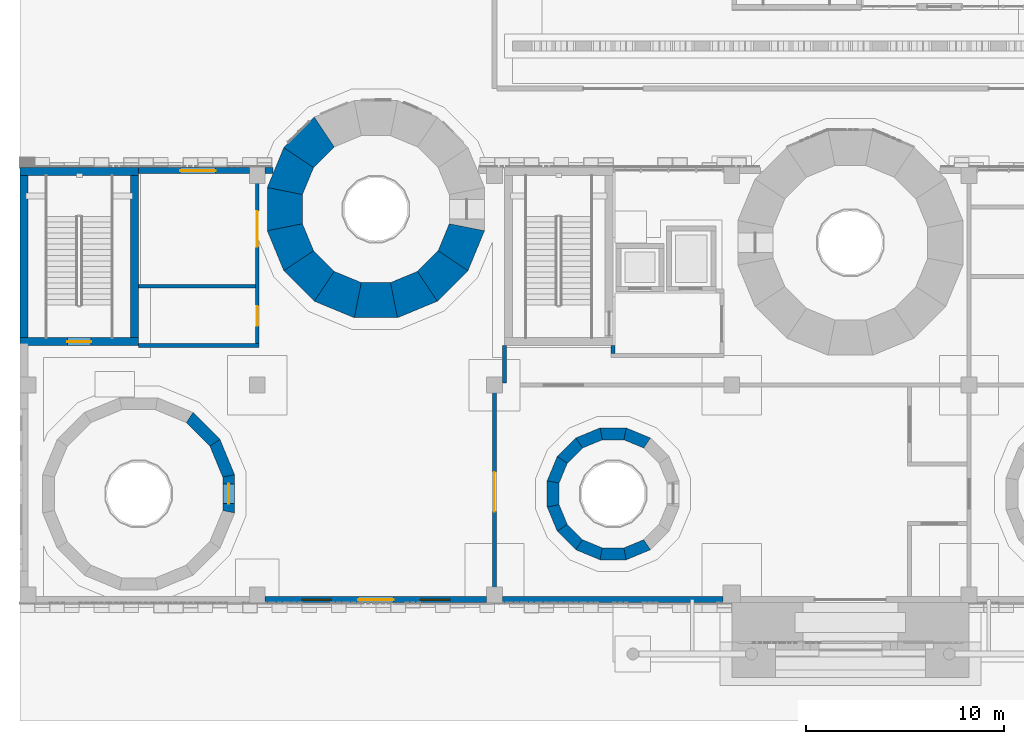
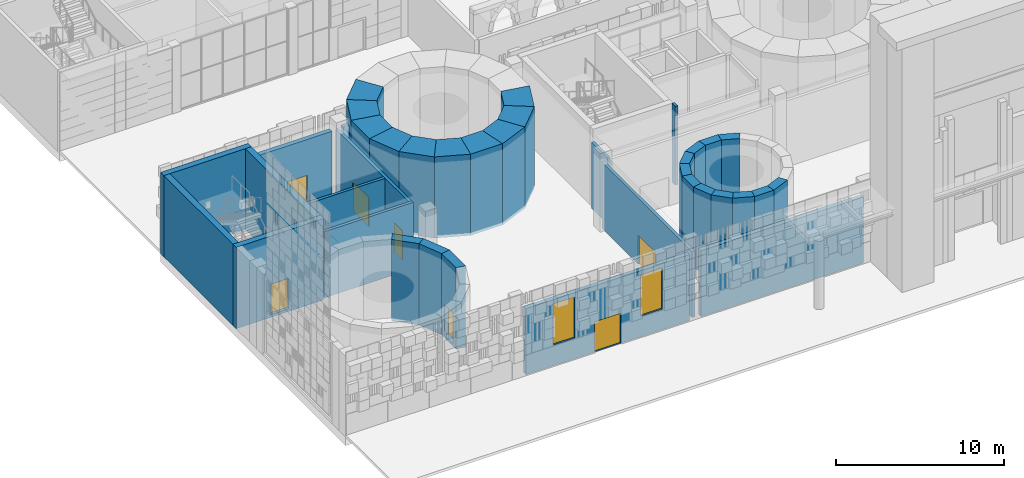
# One storey, part 47 of 125: 38 walls, 7 doors, 2 windows, 9 openings.
"""IFC4 building model written with IfcOpenShell, lengths in metres."""

from ifc_helpers import new_model, si_unit, direction, frame, frame_2d, origin, place, context, subcontext, project, spatial, polyline, rectangle, outline, extrude, material, layer, layer_set, type_object, element, fill, save


model = new_model("IFC4")

# Units and contexts
model_context = context("Model", 3, precision=1e-05, world=origin(), true_north=direction((0.0, 1.0)))
body_context = subcontext(model_context, "Body", "Model", "MODEL_VIEW")
ifc_project = project(units=[si_unit("LENGTHUNIT", "METRE"), si_unit("AREAUNIT", "SQUARE_METRE"), si_unit("VOLUMEUNIT", "CUBIC_METRE"), si_unit("PLANEANGLEUNIT", "RADIAN"), si_unit("MASSUNIT", "GRAM", prefix="KILO")], contexts=[model_context])

# Site, building, storey
site_placement = place(None, origin())
site = spatial("IfcSite", under=ifc_project, at=site_placement, CompositionType="ELEMENT")
building_placement = place(site_placement, origin())
building = spatial("IfcBuilding", under=site, at=building_placement, Name="Sun Court Science Centre", CompositionType="ELEMENT")
storey_placement = place(building_placement, origin())
storey = spatial("IfcBuildingStorey", under=building, at=storey_placement, Name="L00", CompositionType="ELEMENT", Elevation=0.0)

# Wall
ifc_material_1 = material(Name="Clay masonry", Category="masonry")
ifc_layer_1 = layer(ifc_material_1, 0.300048828125)
ifc_layer_set_1 = layer_set([ifc_layer_1], Name="Clay masonry")
wall_type_1 = type_object("IfcWallType", Name="Clay masonry infill wall 300", PredefinedType="SOLIDWALL", material=ifc_layer_set_1)
wall_1_placement = place(storey_placement, frame((35.550048828125, 6.14990234375, 0.0), z_axis=(0.0, 0.0, 1.0), x_axis=(-1.0, 0.0, 0.0)))
element("IfcWall", 1, at=wall_1_placement, inside=storey, type_object=wall_type_1, Name="External infill wall L00 south face 04", PredefinedType="SOLIDWALL", context=body_context, shape_type="SweptSolid", body=[
    extrude(rectangle(XDim=11.150146484375, YDim=0.300048828125, at=frame_2d((5.5751953125, 0.0))), origin(), (0.0, 0.0, 1.0), 4.800048828125),
])

# Wall, openings, door, windows
wall_2_placement = place(storey_placement, frame((23.60009765625, 6.14990234375, 0.0), z_axis=(0.0, 0.0, 1.0), x_axis=(-1.0, 0.0, 0.0)))
wall_2 = element("IfcWall", 2, at=wall_2_placement, inside=storey, type_object=wall_type_1, Name="External infill wall L00 south face 05", PredefinedType="SOLIDWALL", context=body_context, shape_type="SweptSolid", body=[
    extrude(rectangle(XDim=11.2001953125, YDim=0.300048828125, at=frame_2d((5.60009765625, 0.0))), origin(), (0.0, 0.0, 1.0), 4.800048828125),
])
opening_1_placement = place(wall_2_placement, frame((4.699951171875, 0.0, 0.0)))
opening_1 = element("IfcOpeningElement", 3, at=opening_1_placement, cuts=wall_2, Name="Opening D-L00-028", PredefinedType="OPENING", context=body_context, shape_type="SweptSolid", body=[
    extrude(rectangle(XDim=1.800048828125, YDim=2.199951171875, at=frame_2d((0.89990234375, 1.10009765625))), frame((0.0, 0.159912109375, 0.0), z_axis=(0.0, -1.0, 0.0), x_axis=(1.0, 0.0, 0.0)), (0.0, 0.0, 1.0), 0.320068359375),
])
opening_2_placement = place(wall_2_placement, frame((7.85009765625, 0.0, 1.5)))
opening_2 = element("IfcOpeningElement", 4, at=opening_2_placement, cuts=wall_2, Name="Opening WN-L00-001", PredefinedType="OPENING", context=body_context, shape_type="SweptSolid", body=[
    extrude(rectangle(XDim=1.5, YDim=3.0, at=frame_2d((0.75, 1.5))), frame((0.0, 0.159912109375, 0.0), z_axis=(0.0, -1.0, 0.0), x_axis=(1.0, 0.0, 0.0)), (0.0, 0.0, 1.0), 0.320068359375),
])
opening_3_placement = place(wall_2_placement, frame((1.85009765625, 0.0, 1.5)))
opening_3 = element("IfcOpeningElement", 5, at=opening_3_placement, cuts=wall_2, Name="Opening WN-L00-002", PredefinedType="OPENING", context=body_context, shape_type="SweptSolid", body=[
    extrude(rectangle(XDim=1.5, YDim=3.0, at=frame_2d((0.75, 1.5))), frame((0.0, 0.159912109375, 0.0), z_axis=(0.0, -1.0, 0.0), x_axis=(1.0, 0.0, 0.0)), (0.0, 0.0, 1.0), 0.320068359375),
])
ifc_material_2 = material(Name="Steel and glass", Category="steel")
door_type_1 = type_object("IfcDoorType", Name="Exterior door 1800 x 2200 double", OperationType="DOUBLE_DOOR_SINGLE_SWING", PredefinedType="DOOR", material=ifc_material_2)
door_1_placement = place(opening_1_placement, origin())
door_1 = element("IfcDoor", 6, at=door_1_placement, inside=storey, type_object=door_type_1, Name="Exterior door D-L00-028 to the street forecourt", OperationType="SINGLE_SWING_LEFT", OverallHeight=2.199951171875, OverallWidth=1.800048828125, PredefinedType="DOOR", context=body_context, shape_type="SweptSolid", body=[
    extrude(rectangle(XDim=1.800048828125, YDim=2.199951171875, at=frame_2d((0.89990234375, 1.10009765625))), frame((0.0, 0.02490234375, 0.0), z_axis=(0.0, -1.0, 0.0), x_axis=(1.0, 0.0, 0.0)), (0.0, 0.0, 1.0), 0.050048828125),
])
fill(opening_1, door_1)
ifc_material_3 = material(Name="Aluminium frame, 6-12-6 glazing", Category="aluminium")
window_type = type_object("IfcWindowType", Name="Slot window 1500 x 3000", PartitioningType="SINGLE_PANEL", PredefinedType="WINDOW", material=ifc_material_3)
window_1_placement = place(opening_2_placement, origin())
window_1 = element("IfcWindow", 7, at=window_1_placement, inside=storey, type_object=window_type, Name="Window WN1 L00 south face 01", OverallHeight=3.0, OverallWidth=1.5, PartitioningType="SINGLE_PANEL", PredefinedType="WINDOW", context=body_context, shape_type="SweptSolid", body=[
    extrude(rectangle(XDim=1.5, YDim=3.0, at=frame_2d((0.75, 1.5))), frame((0.0, 0.030029296875, 0.0), z_axis=(0.0, -1.0, 0.0), x_axis=(1.0, 0.0, 0.0)), (0.0, 0.0, 1.0), 0.06005859375),
])
fill(opening_2, window_1)
window_2_placement = place(opening_3_placement, origin())
window_2 = element("IfcWindow", 8, at=window_2_placement, inside=storey, type_object=window_type, Name="Window WN1 L00 south face 02", OverallHeight=3.0, OverallWidth=1.5, PartitioningType="SINGLE_PANEL", PredefinedType="WINDOW", context=body_context, shape_type="SweptSolid", body=[
    extrude(rectangle(XDim=1.5, YDim=3.0, at=frame_2d((0.75, 1.5))), frame((0.0, 0.030029296875, 0.0), z_axis=(0.0, -1.0, 0.0), x_axis=(1.0, 0.0, 0.0)), (0.0, 0.0, 1.0), 0.06005859375),
])
fill(opening_3, window_2)

# Wall, opening, door
wall_3_placement = place(storey_placement, frame((6.0, 27.85009765625, 0.0), z_axis=(0.0, 0.0, 1.0), x_axis=(1.0, 0.0, 0.0)))
wall_3 = element("IfcWall", 9, at=wall_3_placement, inside=storey, type_object=wall_type_1, Name="External infill wall L00 north face 01", PredefinedType="SOLIDWALL", context=body_context, shape_type="SweptSolid", body=[
    extrude(rectangle(XDim=5.60009765625, YDim=0.300048828125, at=frame_2d((2.800048828125, 0.0))), origin(), (0.0, 0.0, 1.0), 4.800048828125),
])
opening_4_placement = place(wall_3_placement, frame((2.10009765625, 0.0, 0.0)))
opening_4 = element("IfcOpeningElement", 10, at=opening_4_placement, cuts=wall_3, Name="Opening D-L00-030", PredefinedType="OPENING", context=body_context, shape_type="SweptSolid", body=[
    extrude(rectangle(XDim=1.800048828125, YDim=2.199951171875, at=frame_2d((0.89990234375, 1.10009765625))), frame((0.0, 0.159912109375, 0.0), z_axis=(0.0, -1.0, 0.0), x_axis=(1.0, 0.0, 0.0)), (0.0, 0.0, 1.0), 0.320068359375),
])
door_2_placement = place(opening_4_placement, origin())
door_2 = element("IfcDoor", 11, at=door_2_placement, inside=storey, type_object=door_type_1, Name="Exterior door D-L00-030 to the service court", OperationType="SINGLE_SWING_LEFT", OverallHeight=2.199951171875, OverallWidth=1.800048828125, PredefinedType="DOOR", context=body_context, shape_type="SweptSolid", body=[
    extrude(rectangle(XDim=1.800048828125, YDim=2.199951171875, at=frame_2d((0.89990234375, 1.10009765625))), frame((0.0, 0.02490234375, 0.0), z_axis=(0.0, -1.0, 0.0), x_axis=(1.0, 0.0, 0.0)), (0.0, 0.0, 1.0), 0.050048828125),
])
fill(opening_4, door_2)

# Walls
wall_4_placement = place(storey_placement, frame((12.39990234375, 27.85009765625, 0.0), z_axis=(0.0, 0.0, 1.0), x_axis=(1.0, 0.0, 0.0)))
element("IfcWall", 12, at=wall_4_placement, inside=storey, type_object=wall_type_1, Name="External infill wall L00 north face 02", PredefinedType="SOLIDWALL", context=body_context, shape_type="SweptSolid", body=[
    extrude(rectangle(XDim=0.400634765625, YDim=0.300048828125, at=frame_2d((0.2001953125, 0.0))), origin(), (0.0, 0.0, 1.0), 4.800048828125),
])
ifc_material_4 = material(Name="Concrete block", Category="concrete")
ifc_layer_2 = layer(ifc_material_4, 0.199951171875)
ifc_layer_set_2 = layer_set([ifc_layer_2], Name="Concrete block")
wall_type_2 = type_object("IfcWallType", Name="Partition 200 block EI60", PredefinedType="PARTITIONING", material=ifc_layer_set_2)
wall_5_placement = place(storey_placement, frame((30.0, 18.60009765625, 0.0), z_axis=(0.0, 0.0, 1.0), x_axis=(0.0, 1.0, 0.0)))
element("IfcWall", 13, at=wall_5_placement, inside=storey, type_object=wall_type_2, Name="L00 partition 020", PredefinedType="PARTITIONING", context=body_context, shape_type="SweptSolid", body=[
    extrude(rectangle(XDim=0.39794921875, YDim=0.199951171875, at=frame_2d((0.198974609375, 0.0))), origin(), (0.0, 0.0, 1.0), 5.699951171875),
])

# Wall, openings, doors
wall_6_placement = place(storey_placement, frame((12.0, 19.10009765625, 0.0), z_axis=(0.0, 0.0, 1.0), x_axis=(0.0, 1.0, 0.0)))
wall_6 = element("IfcWall", 14, at=wall_6_placement, inside=storey, type_object=wall_type_2, Name="L00 partition 023", PredefinedType="PARTITIONING", context=body_context, shape_type="SweptSolid", body=[
    extrude(rectangle(XDim=8.699951171875, YDim=0.199951171875, at=frame_2d((4.35009765625, 0.0))), origin(), (0.0, 0.0, 1.0), 4.800048828125),
])
opening_5_placement = place(wall_6_placement, frame((4.89990234375, 0.0, 0.0)))
opening_5 = element("IfcOpeningElement", 15, at=opening_5_placement, cuts=wall_6, Name="Opening D-L00-014", PredefinedType="OPENING", context=body_context, shape_type="SweptSolid", body=[
    extrude(rectangle(XDim=1.800048828125, YDim=2.10009765625, at=frame_2d((0.89990234375, 1.050048828125))), frame((0.0, 0.10986328125, 0.0), z_axis=(0.0, -1.0, 0.0), x_axis=(1.0, 0.0, 0.0)), (0.0, 0.0, 1.0), 0.219970703125),
])
opening_6_placement = place(wall_6_placement, frame((0.89990234375, 0.0, 0.0)))
opening_6 = element("IfcOpeningElement", 16, at=opening_6_placement, cuts=wall_6, Name="Opening D-L00-015", PredefinedType="OPENING", context=body_context, shape_type="SweptSolid", body=[
    extrude(rectangle(XDim=1.0, YDim=2.10009765625, at=frame_2d((0.5, 1.050048828125))), frame((0.0, 0.10986328125, 0.0), z_axis=(0.0, -1.0, 0.0), x_axis=(1.0, 0.0, 0.0)), (0.0, 0.0, 1.0), 0.219970703125),
])
ifc_material_5 = material(Name="Steel", Category="steel")
door_type_2 = type_object("IfcDoorType", Name="Door 1000x2100 single leaf FD60", OperationType="NOTDEFINED", PredefinedType="DOOR", material=ifc_material_5)
door_3_placement = place(opening_6_placement, origin())
door_3 = element("IfcDoor", 17, at=door_3_placement, inside=storey, type_object=door_type_2, Name="Door D-L00-015", OperationType="SINGLE_SWING_RIGHT", OverallHeight=2.10009765625, OverallWidth=1.0, PredefinedType="DOOR", context=body_context, shape_type="SweptSolid", body=[
    extrude(rectangle(XDim=1.0, YDim=2.10009765625, at=frame_2d((0.5, 1.050048828125))), frame((0.0, 0.02490234375, 0.0), z_axis=(0.0, -1.0, 0.0), x_axis=(1.0, 0.0, 0.0)), (0.0, 0.0, 1.0), 0.050048828125),
])
fill(opening_6, door_3)
ifc_material_6 = material(Name="Timber", Category="wood")
door_type_3 = type_object("IfcDoorType", Name="Door 1800x2100 double leaf", OperationType="DOUBLE_DOOR_SINGLE_SWING", PredefinedType="DOOR", material=ifc_material_6)
door_4_placement = place(opening_5_placement, origin())
door_4 = element("IfcDoor", 18, at=door_4_placement, inside=storey, type_object=door_type_3, Name="Door D-L00-014", OperationType="DOUBLE_DOOR_SINGLE_SWING", OverallHeight=2.10009765625, OverallWidth=1.800048828125, PredefinedType="DOOR", context=body_context, shape_type="SweptSolid", body=[
    extrude(rectangle(XDim=1.800048828125, YDim=2.10009765625, at=frame_2d((0.89990234375, 1.050048828125))), frame((0.0, 0.02490234375, 0.0), z_axis=(0.0, -1.0, 0.0), x_axis=(1.0, 0.0, 0.0)), (0.0, 0.0, 1.0), 0.050048828125),
])
fill(opening_5, door_4)

# Walls
ifc_material_7 = material(Name="Gypsum board")
ifc_layer_3 = layer(ifc_material_7, 0.199951171875)
ifc_layer_set_3 = layer_set([ifc_layer_3], Name="Gypsum board")
wall_type_3 = type_object("IfcWallType", Name="Partition 200 stud EI30", PredefinedType="PARTITIONING", material=ifc_layer_set_3)
wall_7_placement = place(storey_placement, frame((6.001953125, 19.0, 0.0), z_axis=(0.0, 0.0, 1.0), x_axis=(1.0, 0.0, 0.0)))
element("IfcWall", 19, at=wall_7_placement, inside=storey, type_object=wall_type_3, Name="L00 partition 006", PredefinedType="PARTITIONING", context=body_context, shape_type="SweptSolid", body=[
    extrude(rectangle(XDim=6.09814453125, YDim=0.199951171875, at=frame_2d((3.049072265625, 0.0))), origin(), (0.0, 0.0, 1.0), 4.800048828125),
])
wall_8_placement = place(storey_placement, frame((6.001953125, 22.0, 0.0), z_axis=(0.0, 0.0, 1.0), x_axis=(1.0, 0.0, 0.0)))
element("IfcWall", 20, at=wall_8_placement, inside=storey, type_object=wall_type_3, Name="L00 partition 008", PredefinedType="PARTITIONING", context=body_context, shape_type="SweptSolid", body=[
    extrude(rectangle(XDim=5.89794921875, YDim=0.199951171875, at=frame_2d((2.948974609375, 0.0))), origin(), (0.0, 0.0, 1.0), 4.800048828125),
])
wall_9_placement = place(storey_placement, frame((24.5, 17.10009765625, 0.0), z_axis=(0.0, 0.0, 1.0), x_axis=(0.0, 1.0, 0.0)))
element("IfcWall", 21, at=wall_9_placement, inside=storey, type_object=wall_type_3, Name="L00 partition 021", PredefinedType="PARTITIONING", context=body_context, shape_type="SweptSolid", body=[
    extrude(rectangle(XDim=1.89794921875, YDim=0.199951171875, at=frame_2d((0.948974609375, 0.0))), origin(), (0.0, 0.0, 1.0), 4.800048828125),
])

# Wall, opening, door
wall_10_placement = place(storey_placement, frame((24.0, 16.89990234375, 0.0), z_axis=(0.0, 0.0, 1.0), x_axis=(0.0, -1.0, 0.0)))
wall_10 = element("IfcWall", 22, at=wall_10_placement, inside=storey, type_object=wall_type_3, Name="L00 partition 022", PredefinedType="PARTITIONING", context=body_context, shape_type="SweptSolid", body=[
    extrude(rectangle(XDim=10.699951171875, YDim=0.199951171875, at=frame_2d((5.35009765625, 0.0))), origin(), (0.0, 0.0, 1.0), 4.800048828125),
])
opening_7_placement = place(wall_10_placement, frame((4.300048828125, 0.0, 0.0)))
opening_7 = element("IfcOpeningElement", 23, at=opening_7_placement, cuts=wall_10, Name="Opening D-L00-013", PredefinedType="OPENING", context=body_context, shape_type="SweptSolid", body=[
    extrude(rectangle(XDim=2.0, YDim=2.10009765625, at=frame_2d((1.0, 1.050048828125))), frame((0.0, 0.10986328125, 0.0), z_axis=(0.0, -1.0, 0.0), x_axis=(1.0, 0.0, 0.0)), (0.0, 0.0, 1.0), 0.219970703125),
])
ifc_material_8 = material(Name="Timber", Category="wood")
door_type_4 = type_object("IfcDoorType", Name="Door 2000x2100 double leaf", OperationType="DOUBLE_DOOR_SINGLE_SWING", PredefinedType="DOOR", material=ifc_material_8)
door_5_placement = place(opening_7_placement, origin())
door_5 = element("IfcDoor", 24, at=door_5_placement, inside=storey, type_object=door_type_4, Name="Door D-L00-013", OperationType="DOUBLE_DOOR_SINGLE_SWING", OverallHeight=2.10009765625, OverallWidth=2.0, PredefinedType="DOOR", context=body_context, shape_type="SweptSolid", body=[
    extrude(rectangle(XDim=2.0, YDim=2.10009765625, at=frame_2d((1.0, 1.050048828125))), frame((0.0, 0.02490234375, 0.0), z_axis=(0.0, -1.0, 0.0), x_axis=(1.0, 0.0, 0.0)), (0.0, 0.0, 1.0), 0.050048828125),
])
fill(opening_7, door_5)

# Walls
ifc_material_9 = material(Name="Concrete C30/37", Category="concrete")
ifc_layer_4 = layer(ifc_material_9, 1.777099609375)
ifc_layer_set_4 = layer_set([ifc_layer_4], Name="Concrete C30/37")
wall_type_4 = type_object("IfcWallType", Name="RC cone ring wall 1777", PredefinedType="SHEAR", material=ifc_layer_set_4)
wall_11_placement = place(storey_placement, frame((15.51708984375, 29.927978515625, -0.199951171875), z_axis=(0.0, 0.0, 1.0), x_axis=(-0.707162645834, -0.707050912125, 0.0)))
element("IfcWall", 25, at=wall_11_placement, inside=storey, type_object=wall_type_4, Name="Cone 2 ring wall L00 segment 6", PredefinedType="SHEAR", context=body_context, shape_type="SweptSolid", body=[
    extrude(outline(polyline([(0.0, -0.888427734375), (2.18505859375, -0.888427734375), (1.83154296875, 0.888427734375), (0.353271484375, 0.888671875), (0.0, -0.888427734375)])), origin(), (0.0, 0.0, 1.0), 5.89990234375),
])
wall_12_placement = place(storey_placement, frame((14.16455078125, 28.671142578125, -0.199951171875), z_axis=(0.0, 0.0, 1.0), x_axis=(-0.382710353709, -0.923868380866, 0.0)))
element("IfcWall", 26, at=wall_12_placement, inside=storey, type_object=wall_type_4, Name="Cone 2 ring wall L00 segment 7", PredefinedType="SHEAR", context=body_context, shape_type="SweptSolid", body=[
    extrude(outline(polyline([(0.0, -0.888427734375), (2.18505859375, -0.888427734375), (1.83154296875, 0.888427734375), (0.353515625, 0.888427734375), (0.0, -0.888427734375)])), origin(), (0.0, 0.0, 1.0), 5.89990234375),
])
wall_13_placement = place(storey_placement, frame((13.39599609375, 26.992431640625, -0.199951171875), z_axis=(0.0, 0.0, 1.0), x_axis=(0.0, -1.0, 0.0)))
element("IfcWall", 27, at=wall_13_placement, inside=storey, type_object=wall_type_4, Name="Cone 2 ring wall L00 segment 8", PredefinedType="SHEAR", context=body_context, shape_type="SweptSolid", body=[
    extrude(outline(polyline([(0.0, -0.888427734375), (2.184814453125, -0.888427734375), (1.83154296875, 0.888427734375), (0.353515625, 0.888427734375), (0.0, -0.888427734375)])), origin(), (0.0, 0.0, 1.0), 5.89990234375),
])
wall_14_placement = place(storey_placement, frame((13.328369140625, 25.1474609375, -0.199951171875), z_axis=(0.0, 0.0, 1.0), x_axis=(0.382710353709, -0.923868380866, 0.0)))
element("IfcWall", 28, at=wall_14_placement, inside=storey, type_object=wall_type_4, Name="Cone 2 ring wall L00 segment 9", PredefinedType="SHEAR", context=body_context, shape_type="SweptSolid", body=[
    extrude(outline(polyline([(-0.000244140625, -0.888427734375), (2.18505859375, -0.888427734375), (1.83154296875, 0.888427734375), (0.353515625, 0.888427734375), (-0.000244140625, -0.888427734375)])), origin(), (0.0, 0.0, 1.0), 5.89990234375),
])
wall_15_placement = place(storey_placement, frame((13.971923828125, 23.4169921875, -0.199951171875), z_axis=(0.0, 0.0, 1.0), x_axis=(0.707162645834, -0.707050912125, 0.0)))
element("IfcWall", 29, at=wall_15_placement, inside=storey, type_object=wall_type_4, Name="Cone 2 ring wall L00 segment 10", PredefinedType="SHEAR", context=body_context, shape_type="SweptSolid", body=[
    extrude(outline(polyline([(0.0, -0.888427734375), (2.18505859375, -0.888427734375), (1.831787109375, 0.888671875), (0.353515625, 0.888427734375), (0.0, -0.888427734375)])), origin(), (0.0, 0.0, 1.0), 5.89990234375),
])
wall_16_placement = place(storey_placement, frame((15.228759765625, 22.064697265625, -0.199951171875), z_axis=(0.0, 0.0, 1.0), x_axis=(0.923884744615, -0.382670848991, 0.0)))
element("IfcWall", 30, at=wall_16_placement, inside=storey, type_object=wall_type_4, Name="Cone 2 ring wall L00 segment 11", PredefinedType="SHEAR", context=body_context, shape_type="SweptSolid", body=[
    extrude(outline(polyline([(0.0, -0.888427734375), (2.18505859375, -0.888427734375), (1.831787109375, 0.888427734375), (0.353759765625, 0.888427734375), (0.0, -0.888427734375)])), origin(), (0.0, 0.0, 1.0), 5.89990234375),
])
for number, where, z_axis, x_axis, name in (
    (31, (16.907470703125, 21.296142578125, -0.199951171875), (0.0, 0.0, 1.0), (1.0, 0.0, 0.0), "Cone 2 ring wall L00 segment 12"),
    (32, (18.75244140625, 21.228515625, -0.199951171875), (0.0, 0.0, 1.0), (0.923884744615, 0.382670848991, 0.0), "Cone 2 ring wall L00 segment 13"),
):
    element("IfcWall", number, at=place(storey_placement, frame(where, z_axis=z_axis, x_axis=x_axis)), inside=storey, type_object=wall_type_4, Name=name, PredefinedType="SHEAR", context=body_context, shape_type="SweptSolid", body=[
        extrude(outline(polyline([(0.0, -0.888427734375), (2.18505859375, -0.888427734375), (1.83154296875, 0.888427734375), (0.353515625, 0.888427734375), (0.0, -0.888427734375)])), origin(), (0.0, 0.0, 1.0), 5.89990234375),
    ])
wall_17_placement = place(storey_placement, frame((20.48291015625, 21.8720703125, -0.199951171875), z_axis=(0.0, 0.0, 1.0), x_axis=(0.707162645834, 0.707050912125, 0.0)))
element("IfcWall", 33, at=wall_17_placement, inside=storey, type_object=wall_type_4, Name="Cone 2 ring wall L00 segment 14", PredefinedType="SHEAR", context=body_context, shape_type="SweptSolid", body=[
    extrude(outline(polyline([(0.0, -0.888427734375), (2.18505859375, -0.888427734375), (1.83154296875, 0.888427734375), (0.353271484375, 0.888671875), (0.0, -0.888427734375)])), origin(), (0.0, 0.0, 1.0), 5.89990234375),
])
wall_18_placement = place(storey_placement, frame((21.83544921875, 23.12890625, -0.199951171875), z_axis=(0.0, 0.0, 1.0), x_axis=(0.382710353709, 0.923868380866, 0.0)))
element("IfcWall", 34, at=wall_18_placement, inside=storey, type_object=wall_type_4, Name="Cone 2 ring wall L00 segment 15", PredefinedType="SHEAR", context=body_context, shape_type="SweptSolid", body=[
    extrude(outline(polyline([(0.0, -0.888427734375), (2.18505859375, -0.888427734375), (1.831298828125, 0.888427734375), (0.353515625, 0.888427734375), (0.0, -0.888427734375)])), origin(), (0.0, 0.0, 1.0), 5.89990234375),
])
ifc_material_10 = material(Name="Concrete C30/37", Category="concrete")
ifc_layer_5 = layer(ifc_material_10, 0.60009765625)
ifc_layer_set_5 = layer_set([ifc_layer_5], Name="Concrete C30/37")
wall_type_5 = type_object("IfcWallType", Name="RC cone ring wall 600", PredefinedType="SHEAR", material=ifc_layer_set_5)
wall_19_placement = place(storey_placement, frame((10.57763671875, 12.350830078125, -0.199951171875), z_axis=(0.0, 0.0, 1.0), x_axis=(-0.382630895081, 0.923901292417, 0.0)))
element("IfcWall", 35, at=wall_19_placement, inside=storey, type_object=wall_type_5, Name="Cone 1 ring wall L00 segment 1", PredefinedType="SHEAR", context=body_context, shape_type="SweptSolid", body=[
    extrude(outline(polyline([(0.0, -0.30029296875), (1.931396484375, -0.2998046875), (1.81201171875, 0.300048828125), (0.119140625, 0.300048828125), (0.0, -0.30029296875)])), origin(), (0.0, 0.0, 1.0), 5.89990234375),
])
wall_20_placement = place(storey_placement, frame((9.903564453125, 14.037841796875, -0.199951171875), z_axis=(0.0, 0.0, 1.0), x_axis=(-0.707106781187, 0.707106781187, 0.0)))
element("IfcWall", 36, at=wall_20_placement, inside=storey, type_object=wall_type_5, Name="Cone 1 ring wall L00 segment 2", PredefinedType="SHEAR", context=body_context, shape_type="SweptSolid", body=[
    extrude(outline(polyline([(0.0, -0.300048828125), (1.931396484375, -0.300048828125), (1.81201171875, 0.2998046875), (0.119384765625, 0.2998046875), (0.0, -0.300048828125)])), origin(), (0.0, 0.0, 1.0), 5.89990234375),
])

# Wall, opening, door
wall_21_placement = place(storey_placement, frame((10.554931640625, 10.534423828125, -0.199951171875), z_axis=(0.0, 0.0, 1.0), x_axis=(0.0, 1.0, 0.0)))
wall_21 = element("IfcWall", 37, at=wall_21_placement, inside=storey, type_object=wall_type_5, Name="Cone 1 ring wall L00 segment 16", PredefinedType="SHEAR", context=body_context, shape_type="SweptSolid", body=[
    extrude(outline(polyline([(-0.000244140625, -0.300048828125), (1.931396484375, -0.300048828125), (1.811767578125, 0.300048828125), (0.119384765625, 0.300048828125), (-0.000244140625, -0.300048828125)])), origin(), (0.0, 0.0, 1.0), 5.89990234375),
])
opening_8_placement = place(wall_21_placement, frame((0.465576171875, 0.0, 0.199951171875)))
opening_8 = element("IfcOpeningElement", 38, at=opening_8_placement, cuts=wall_21, Name="Opening D-L00-021", PredefinedType="OPENING", context=body_context, shape_type="SweptSolid", body=[
    extrude(rectangle(XDim=1.0, YDim=2.199951171875, at=frame_2d((0.5, 1.10009765625))), frame((0.0, 0.31005859375, 0.0), z_axis=(0.0, -1.0, 0.0), x_axis=(1.0, 0.0, 0.0)), (0.0, 0.0, 1.0), 0.6201171875),
])
ifc_material_11 = material(Name="Timber", Category="wood")
door_type_5 = type_object("IfcDoorType", Name="Door 1000x2200 single leaf", OperationType="NOTDEFINED", PredefinedType="DOOR", material=ifc_material_11)
door_6_placement = place(opening_8_placement, origin())
door_6 = element("IfcDoor", 39, at=door_6_placement, inside=storey, type_object=door_type_5, Name="Door D-L00-021", OperationType="SINGLE_SWING_LEFT", OverallHeight=2.199951171875, OverallWidth=1.0, PredefinedType="DOOR", context=body_context, shape_type="SweptSolid", body=[
    extrude(rectangle(XDim=1.0, YDim=2.199951171875, at=frame_2d((0.5, 1.10009765625))), frame((0.0, 0.02490234375, 0.0), z_axis=(0.0, -1.0, 0.0), x_axis=(1.0, 0.0, 0.0)), (0.0, 0.0, 1.0), 0.050048828125),
])
fill(opening_8, door_6)

# Walls
wall_22_placement = place(storey_placement, frame((31.774169921875, 14.0498046875, -0.199951171875), z_axis=(0.0, 0.0, 1.0), x_axis=(-0.923837370253, 0.382785205205, 0.0)))
element("IfcWall", 40, at=wall_22_placement, inside=storey, type_object=wall_type_5, Name="Cone 3 ring wall L00 segment 3", PredefinedType="SHEAR", context=body_context, shape_type="SweptSolid", body=[
    extrude(outline(polyline([(0.0, -0.2998046875), (1.32666015625, -0.2998046875), (1.207275390625, 0.30029296875), (0.119384765625, 0.300048828125), (0.0, -0.2998046875)])), origin(), (0.0, 0.0, 1.0), 5.89990234375),
])
wall_23_placement = place(storey_placement, frame((30.663330078125, 14.53466796875, -0.199951171875), z_axis=(0.0, 0.0, 1.0), x_axis=(-1.0, 0.0, 0.0)))
element("IfcWall", 41, at=wall_23_placement, inside=storey, type_object=wall_type_5, Name="Cone 3 ring wall L00 segment 4", PredefinedType="SHEAR", context=body_context, shape_type="SweptSolid", body=[
    extrude(outline(polyline([(0.0, -0.300048828125), (1.32666015625, -0.300048828125), (1.207275390625, 0.300048828125), (0.119384765625, 0.300048828125), (0.0, -0.300048828125)])), origin(), (0.0, 0.0, 1.0), 5.89990234375),
])
wall_24_placement = place(storey_placement, frame((29.451416015625, 14.5576171875, -0.199951171875), z_axis=(0.0, 0.0, 1.0), x_axis=(-0.923837370253, -0.382785205205, 0.0)))
element("IfcWall", 42, at=wall_24_placement, inside=storey, type_object=wall_type_5, Name="Cone 3 ring wall L00 segment 5", PredefinedType="SHEAR", context=body_context, shape_type="SweptSolid", body=[
    extrude(outline(polyline([(0.0, -0.2998046875), (1.32666015625, -0.2998046875), (1.207275390625, 0.300048828125), (0.119384765625, 0.30029296875), (0.0, -0.2998046875)])), origin(), (0.0, 0.0, 1.0), 5.89990234375),
])
wall_25_placement = place(storey_placement, frame((28.3232421875, 14.11474609375, -0.199951171875), z_axis=(0.0, 0.0, 1.0), x_axis=(-0.707106781187, -0.707106781187, 0.0)))
element("IfcWall", 43, at=wall_25_placement, inside=storey, type_object=wall_type_5, Name="Cone 3 ring wall L00 segment 6", PredefinedType="SHEAR", context=body_context, shape_type="SweptSolid", body=[
    extrude(outline(polyline([(0.0, -0.300048828125), (1.326416015625, -0.300048828125), (1.207275390625, 0.2998046875), (0.119384765625, 0.2998046875), (0.0, -0.300048828125)])), origin(), (0.0, 0.0, 1.0), 5.89990234375),
])
wall_26_placement = place(storey_placement, frame((27.4501953125, 13.274169921875, -0.199951171875), z_axis=(0.0, 0.0, 1.0), x_axis=(-0.382785205205, -0.923837370253, 0.0)))
element("IfcWall", 44, at=wall_26_placement, inside=storey, type_object=wall_type_5, Name="Cone 3 ring wall L00 segment 7", PredefinedType="SHEAR", context=body_context, shape_type="SweptSolid", body=[
    extrude(outline(polyline([(0.0, -0.2998046875), (1.32666015625, -0.2998046875), (1.207275390625, 0.30029296875), (0.119384765625, 0.300048828125), (0.0, -0.2998046875)])), origin(), (0.0, 0.0, 1.0), 5.89990234375),
])
wall_27_placement = place(storey_placement, frame((26.96533203125, 12.163330078125, -0.199951171875), z_axis=(0.0, 0.0, 1.0), x_axis=(0.0, -1.0, 0.0)))
element("IfcWall", 45, at=wall_27_placement, inside=storey, type_object=wall_type_5, Name="Cone 3 ring wall L00 segment 8", PredefinedType="SHEAR", context=body_context, shape_type="SweptSolid", body=[
    extrude(outline(polyline([(0.0, -0.300048828125), (1.32666015625, -0.300048828125), (1.207275390625, 0.300048828125), (0.119384765625, 0.300048828125), (0.0, -0.300048828125)])), origin(), (0.0, 0.0, 1.0), 5.89990234375),
])
wall_28_placement = place(storey_placement, frame((26.9423828125, 10.951416015625, -0.199951171875), z_axis=(0.0, 0.0, 1.0), x_axis=(0.382785205205, -0.923837370253, 0.0)))
element("IfcWall", 46, at=wall_28_placement, inside=storey, type_object=wall_type_5, Name="Cone 3 ring wall L00 segment 9", PredefinedType="SHEAR", context=body_context, shape_type="SweptSolid", body=[
    extrude(outline(polyline([(0.0, -0.2998046875), (1.32666015625, -0.2998046875), (1.207275390625, 0.300048828125), (0.119384765625, 0.30029296875), (0.0, -0.2998046875)])), origin(), (0.0, 0.0, 1.0), 5.89990234375),
])
wall_29_placement = place(storey_placement, frame((27.38525390625, 9.8232421875, -0.199951171875), z_axis=(0.0, 0.0, 1.0), x_axis=(0.707106781187, -0.707106781187, 0.0)))
element("IfcWall", 47, at=wall_29_placement, inside=storey, type_object=wall_type_5, Name="Cone 3 ring wall L00 segment 10", PredefinedType="SHEAR", context=body_context, shape_type="SweptSolid", body=[
    extrude(outline(polyline([(0.0, -0.300048828125), (1.326416015625, -0.300048828125), (1.207275390625, 0.2998046875), (0.119384765625, 0.2998046875), (0.0, -0.300048828125)])), origin(), (0.0, 0.0, 1.0), 5.89990234375),
])
wall_30_placement = place(storey_placement, frame((28.225830078125, 8.9501953125, -0.199951171875), z_axis=(0.0, 0.0, 1.0), x_axis=(0.923837370253, -0.382785205205, 0.0)))
element("IfcWall", 48, at=wall_30_placement, inside=storey, type_object=wall_type_5, Name="Cone 3 ring wall L00 segment 11", PredefinedType="SHEAR", context=body_context, shape_type="SweptSolid", body=[
    extrude(outline(polyline([(0.0, -0.2998046875), (1.32666015625, -0.2998046875), (1.207275390625, 0.30029296875), (0.119384765625, 0.300048828125), (0.0, -0.2998046875)])), origin(), (0.0, 0.0, 1.0), 5.89990234375),
])
wall_31_placement = place(storey_placement, frame((29.336669921875, 8.46533203125, -0.199951171875), z_axis=(0.0, 0.0, 1.0), x_axis=(1.0, 0.0, 0.0)))
element("IfcWall", 49, at=wall_31_placement, inside=storey, type_object=wall_type_5, Name="Cone 3 ring wall L00 segment 12", PredefinedType="SHEAR", context=body_context, shape_type="SweptSolid", body=[
    extrude(outline(polyline([(0.0, -0.300048828125), (1.32666015625, -0.300048828125), (1.207275390625, 0.300048828125), (0.119384765625, 0.300048828125), (0.0, -0.300048828125)])), origin(), (0.0, 0.0, 1.0), 5.89990234375),
])
wall_32_placement = place(storey_placement, frame((30.548583984375, 8.4423828125, -0.199951171875), z_axis=(0.0, 0.0, 1.0), x_axis=(0.923837370253, 0.382785205205, 0.0)))
element("IfcWall", 50, at=wall_32_placement, inside=storey, type_object=wall_type_5, Name="Cone 3 ring wall L00 segment 13", PredefinedType="SHEAR", context=body_context, shape_type="SweptSolid", body=[
    extrude(outline(polyline([(0.0, -0.2998046875), (1.32666015625, -0.2998046875), (1.207275390625, 0.300048828125), (0.119384765625, 0.30029296875), (0.0, -0.2998046875)])), origin(), (0.0, 0.0, 1.0), 5.89990234375),
])

# Wall, opening, door
ifc_material_12 = material(Name="Concrete C30/37", Category="concrete")
ifc_layer_6 = layer(ifc_material_12, 0.39990234375)
ifc_layer_set_6 = layer_set([ifc_layer_6], Name="Concrete C30/37")
wall_type_6 = type_object("IfcWallType", Name="RC stair core wall 400", PredefinedType="SHEAR", material=ifc_layer_set_6)
wall_33_placement = place(storey_placement, frame((0.0, 19.199951171875, -0.199951171875), z_axis=(0.0, 0.0, 1.0), x_axis=(1.0, 0.0, 0.0)))
wall_33 = element("IfcWall", 51, at=wall_33_placement, inside=storey, type_object=wall_type_6, Name="Stair core SB1 wall S, L00", PredefinedType="SHEAR", context=body_context, shape_type="SweptSolid", body=[
    extrude(rectangle(XDim=6.0, YDim=0.39990234375, at=frame_2d((3.0, 0.0))), origin(), (0.0, 0.0, 1.0), 5.89990234375),
])
opening_9_placement = place(wall_33_placement, frame((2.39892578125, 0.0, 0.199951171875)))
opening_9 = element("IfcOpeningElement", 52, at=opening_9_placement, cuts=wall_33, Name="Opening D-L00-006", PredefinedType="OPENING", context=body_context, shape_type="SweptSolid", body=[
    extrude(rectangle(XDim=1.199951171875, YDim=2.199951171875, at=frame_2d((0.60009765625, 1.10009765625))), frame((0.0, 0.2099609375, 0.0), z_axis=(0.0, -1.0, 0.0), x_axis=(1.0, 0.0, 0.0)), (0.0, 0.0, 1.0), 0.419921875),
])
ifc_material_13 = material(Name="Steel", Category="steel")
door_type_6 = type_object("IfcDoorType", Name="Door 1200x2200 single leaf FD60", OperationType="NOTDEFINED", PredefinedType="DOOR", material=ifc_material_13)
door_7_placement = place(opening_9_placement, origin())
door_7 = element("IfcDoor", 53, at=door_7_placement, inside=storey, type_object=door_type_6, Name="Door D-L00-006", OperationType="SINGLE_SWING_RIGHT", OverallHeight=2.199951171875, OverallWidth=1.199951171875, PredefinedType="DOOR", context=body_context, shape_type="SweptSolid", body=[
    extrude(rectangle(XDim=1.199951171875, YDim=2.199951171875, at=frame_2d((0.60009765625, 1.10009765625))), frame((0.0, 0.02490234375, 0.0), z_axis=(0.0, -1.0, 0.0), x_axis=(1.0, 0.0, 0.0)), (0.0, 0.0, 1.0), 0.050048828125),
])
fill(opening_9, door_7)

# Walls
wall_34_placement = place(storey_placement, frame((5.800048828125, 19.39990234375, -0.199951171875), z_axis=(0.0, 0.0, 1.0), x_axis=(0.0, 1.0, 0.0)))
element("IfcWall", 54, at=wall_34_placement, inside=storey, type_object=wall_type_6, Name="Stair core SB1 wall E, L00", PredefinedType="SHEAR", context=body_context, shape_type="SweptSolid", body=[
    extrude(rectangle(XDim=8.2001953125, YDim=0.39990234375, at=frame_2d((4.10009765625, 0.0))), origin(), (0.0, 0.0, 1.0), 5.89990234375),
])
wall_35_placement = place(storey_placement, frame((0.0, 27.800048828125, -0.199951171875), z_axis=(0.0, 0.0, 1.0), x_axis=(1.0, 0.0, 0.0)))
element("IfcWall", 55, at=wall_35_placement, inside=storey, type_object=wall_type_6, Name="Stair core SB1 wall N, L00", PredefinedType="SHEAR", context=body_context, shape_type="SweptSolid", body=[
    extrude(rectangle(XDim=6.0, YDim=0.39990234375, at=frame_2d((3.0, 0.0))), origin(), (0.0, 0.0, 1.0), 5.89990234375),
])
wall_36_placement = place(storey_placement, frame((0.199951171875, 19.39990234375, -0.199951171875), z_axis=(0.0, 0.0, 1.0), x_axis=(0.0, 1.0, 0.0)))
element("IfcWall", 56, at=wall_36_placement, inside=storey, type_object=wall_type_6, Name="Stair core SB1 wall W, L00", PredefinedType="SHEAR", context=body_context, shape_type="SweptSolid", body=[
    extrude(rectangle(XDim=8.2001953125, YDim=0.39990234375, at=frame_2d((4.10009765625, 0.0))), origin(), (0.0, 0.0, 1.0), 5.89990234375),
])

save(model, "model.ifc")
